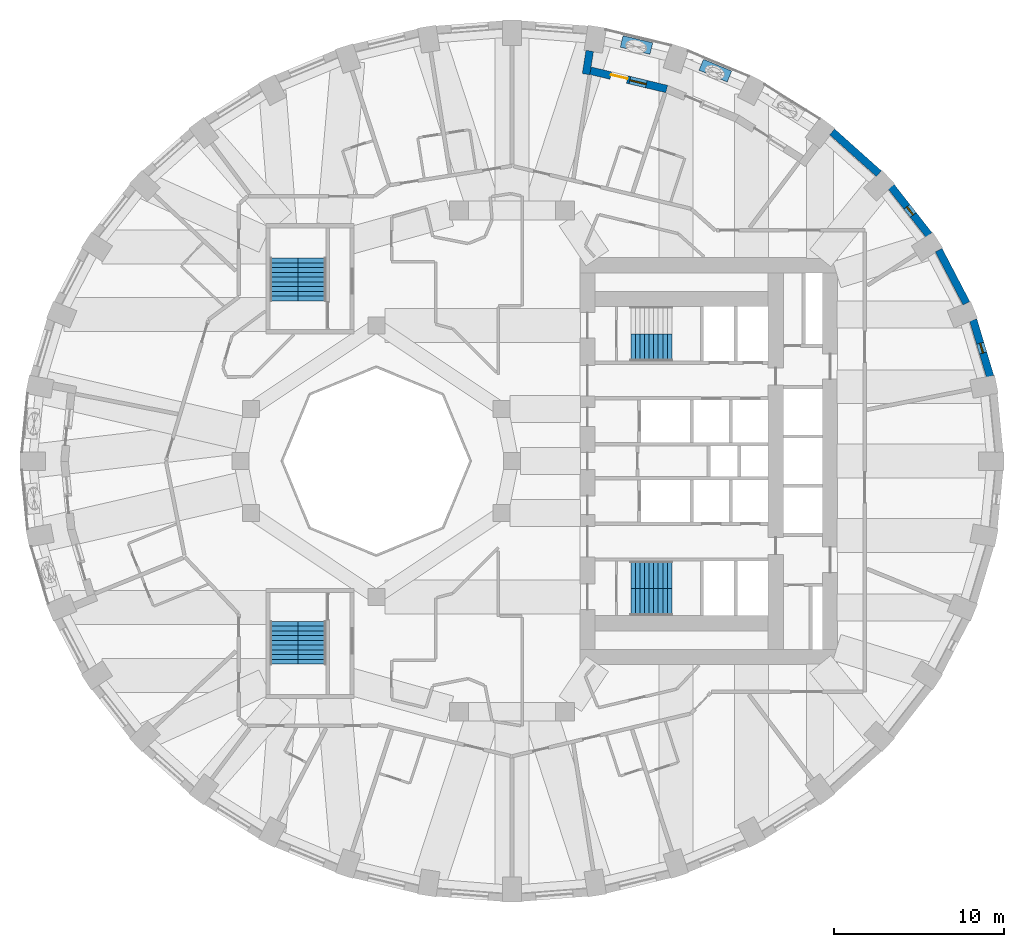
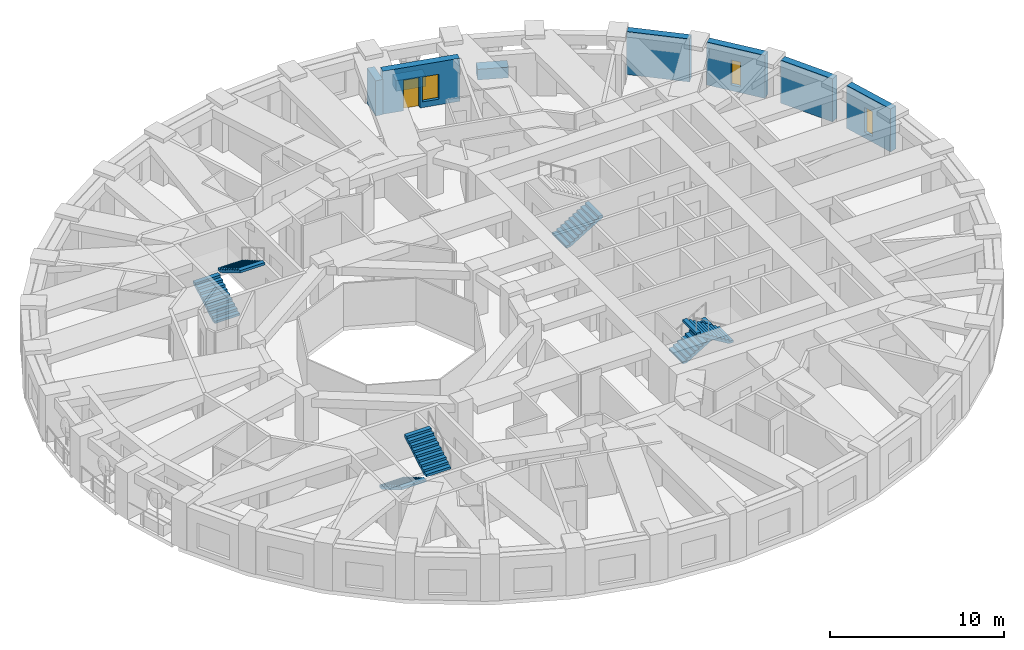
# One storey, part 10 of 14: 8 walls, 7 stair flights, 3 windows, 1 door, 4 openings, 4 elements without a shape of their own.
"""IFC4 building model written with IfcOpenShell, lengths in metres."""

from ifc_helpers import new_model, si_unit, direction, frame, frame_2d, origin, place, context, subcontext, project, spatial, polyline, rectangle, outline, extrude, material, layer, layer_set, constituent, constituent_set, type_object, element, fill, aggregate, save


model = new_model("IFC4")

# Units and contexts
model_context = context("Model", 3, precision=1e-05, world=origin(), true_north=direction((0.0, 1.0)))
body_context = subcontext(model_context, "Body", "Model", "MODEL_VIEW")
ifc_project = project(units=[si_unit("LENGTHUNIT", "METRE"), si_unit("AREAUNIT", "SQUARE_METRE"), si_unit("VOLUMEUNIT", "CUBIC_METRE"), si_unit("PLANEANGLEUNIT", "RADIAN"), si_unit("MASSUNIT", "GRAM", prefix="KILO")], contexts=[model_context])

# Site, building, storey
site_placement = place(None, origin())
site = spatial("IfcSite", under=ifc_project, at=site_placement, CompositionType="ELEMENT")
building_placement = place(site_placement, origin())
building = spatial("IfcBuilding", under=site, at=building_placement, Name="Taillehof Tower", CompositionType="ELEMENT")
storey_placement = place(building_placement, frame((0.0, 0.0, 25.0)))
storey = spatial("IfcBuildingStorey", under=building, at=storey_placement, Name="L05", CompositionType="ELEMENT", Elevation=25.0)

# Wall, opening, window
ifc_material_1 = material(Name="Brick masonry", Category="masonry")
ifc_layer = layer(ifc_material_1, 0.449951171875)
ifc_layer_set = layer_set([ifc_layer], Name="Brick infill wall 450")
wall_type_1 = type_object("IfcWallType", Name="Brick infill wall 450", PredefinedType="SOLIDWALL", material=ifc_layer_set)
wall_1_placement = place(storey_placement, frame((28.181884765625, 4.995849609375, 0.0), z_axis=(0.0, 0.0, 1.0), x_axis=(-0.287064133733, 0.957911364963, 0.0)))
wall_1 = element("IfcWall", 1, at=wall_1_placement, inside=storey, type_object=wall_type_1, Name="Brick wall L05 bay 2", PredefinedType="SOLIDWALL", context=body_context, shape_type="SweptSolid", body=[
    extrude(rectangle(XDim=3.473388671875, YDim=0.449951171875, at=frame_2d((1.73681640625, 0.0))), origin(), (0.0, 0.0, 1.0), 3.02001953125),
])
opening_1_placement = place(wall_1_placement, frame((1.436767578125, 0.0, 0.39990234375)))
opening_1 = element("IfcOpeningElement", 2, at=opening_1_placement, cuts=wall_1, Name="Opening W6", PredefinedType="OPENING", context=body_context, shape_type="SweptSolid", body=[
    extrude(rectangle(XDim=0.60009765625, YDim=1.75, at=frame_2d((0.300048828125, 0.875))), frame((0.0, 0.23486328125, 0.0), z_axis=(0.0, -1.0, 0.0), x_axis=(1.0, 0.0, 0.0)), (0.0, 0.0, 1.0), 0.469970703125),
])
ifc_material_2 = material(Name="Aluminium window frame with clear double glazing", Category="aluminium")
window_type_1 = type_object("IfcWindowType", Name="Slot window 600x1750", PartitioningType="SINGLE_PANEL", PredefinedType="WINDOW", material=ifc_material_2)
window_1_placement = place(opening_1_placement, origin())
window_1 = element("IfcWindow", 3, at=window_1_placement, inside=storey, type_object=window_type_1, Name="W6", OverallHeight=1.75, OverallWidth=0.60009765625, PartitioningType="SINGLE_PANEL", PredefinedType="WINDOW", context=body_context, shape_type="SweptSolid", body=[
    extrude(rectangle(XDim=0.60009765625, YDim=1.75, at=frame_2d((0.300048828125, 0.875))), frame((0.0, 0.034912109375, 0.0), z_axis=(0.0, -1.0, 0.0), x_axis=(1.0, 0.0, 0.0)), (0.0, 0.0, 1.0), 0.06005859375),
])
fill(opening_1, window_1)

# Wall
wall_2_placement = place(storey_placement, frame((26.78564453125, 9.30517578125, 0.0), z_axis=(0.0, 0.0, 1.0), x_axis=(-0.462492775226, 0.886623050041, 0.0)))
element("IfcWall", 4, at=wall_2_placement, inside=storey, type_object=wall_type_1, Name="Brick wall L05 bay 3", PredefinedType="SOLIDWALL", context=body_context, shape_type="SweptSolid", body=[
    extrude(rectangle(XDim=3.531982421875, YDim=0.449951171875, at=frame_2d((1.76611328125, 0.0))), origin(), (0.0, 0.0, 1.0), 3.02001953125),
])

# Wall, opening, window
wall_3_placement = place(storey_placement, frame((24.57763671875, 13.327880859375, 0.0), z_axis=(0.0, 0.0, 1.0), x_axis=(-0.616661975264, 0.787228053529, 0.0)))
wall_3 = element("IfcWall", 5, at=wall_3_placement, inside=storey, type_object=wall_type_1, Name="Brick wall L05 bay 4", PredefinedType="SOLIDWALL", context=body_context, shape_type="SweptSolid", body=[
    extrude(rectangle(XDim=3.60986328125, YDim=0.449951171875, at=frame_2d((1.804931640625, 0.0))), origin(), (0.0, 0.0, 1.0), 3.02001953125),
])
opening_2_placement = place(wall_3_placement, frame((1.5048828125, 0.0, 0.39990234375)))
opening_2 = element("IfcOpeningElement", 6, at=opening_2_placement, cuts=wall_3, Name="Opening W6", PredefinedType="OPENING", context=body_context, shape_type="SweptSolid", body=[
    extrude(rectangle(XDim=0.60009765625, YDim=1.75, at=frame_2d((0.300048828125, 0.875))), frame((0.0, 0.23486328125, 0.0), z_axis=(0.0, -1.0, 0.0), x_axis=(1.0, 0.0, 0.0)), (0.0, 0.0, 1.0), 0.469970703125),
])
window_2_placement = place(opening_2_placement, origin())
window_2 = element("IfcWindow", 7, at=window_2_placement, inside=storey, type_object=window_type_1, Name="W6", OverallHeight=1.75, OverallWidth=0.60009765625, PartitioningType="SINGLE_PANEL", PredefinedType="WINDOW", context=body_context, shape_type="SweptSolid", body=[
    extrude(rectangle(XDim=0.60009765625, YDim=1.75, at=frame_2d((0.300048828125, 0.875))), frame((0.0, 0.034912109375, 0.0), z_axis=(0.0, -1.0, 0.0), x_axis=(1.0, 0.0, 0.0)), (0.0, 0.0, 1.0), 0.06005859375),
])
fill(opening_2, window_2)

# Walls
wall_4_placement = place(storey_placement, frame((21.626708984375, 16.943115234375, 0.0), z_axis=(0.0, 0.0, 1.0), x_axis=(-0.745526233716, 0.66647628228, 0.0)))
element("IfcWall", 8, at=wall_4_placement, inside=storey, type_object=wall_type_1, Name="Brick wall L05 bay 5", PredefinedType="SOLIDWALL", context=body_context, shape_type="SweptSolid", body=[
    extrude(rectangle(XDim=3.69677734375, YDim=0.449951171875, at=frame_2d((1.848388671875, 0.0))), origin(), (0.0, 0.0, 1.0), 3.02001953125),
])
wall_5_placement = place(storey_placement, frame((4.58251953125, 24.178466796875, 0.0), z_axis=(0.0, 0.0, 1.0), x_axis=(-0.156133927791, -0.98773589415, 0.0)))
element("IfcWall", 9, at=wall_5_placement, inside=storey, type_object=wall_type_1, Name="Brick reveal L05 pocket 1", PredefinedType="SOLIDWALL", context=body_context, shape_type="SweptSolid", body=[
    extrude(rectangle(XDim=1.39013671875, YDim=0.449951171875, at=frame_2d((0.695068359375, 0.0))), origin(), (0.0, 0.0, 1.0), 2.469970703125),
])

# Wall, openings, door, window
wall_6_placement = place(storey_placement, frame((9.12158203125, 21.931640625, 0.0), z_axis=(0.0, 0.0, 1.0), x_axis=(-0.972346547441, 0.233542697764, 0.0)))
wall_6 = element("IfcWall", 10, at=wall_6_placement, inside=storey, type_object=wall_type_1, Name="Brick wall L05 pocket bay 8", PredefinedType="SOLIDWALL", context=body_context, shape_type="SweptSolid", body=[
    extrude(rectangle(XDim=4.623779296875, YDim=0.449951171875, at=frame_2d((2.31201171875, 0.0))), origin(), (0.0, 0.0, 1.0), 3.02001953125),
])
opening_3_placement = place(wall_6_placement, frame((1.23681640625, 0.0, 0.39990234375)))
opening_3 = element("IfcOpeningElement", 11, at=opening_3_placement, cuts=wall_6, Name="Opening W5", PredefinedType="OPENING", context=body_context, shape_type="SweptSolid", body=[
    extrude(rectangle(XDim=1.0, YDim=1.75, at=frame_2d((0.5, 0.875))), frame((0.0, 0.23486328125, 0.0), z_axis=(0.0, -1.0, 0.0), x_axis=(1.0, 0.0, 0.0)), (0.0, 0.0, 1.0), 0.469970703125),
])
opening_4_placement = place(wall_6_placement, frame((2.38671875, 0.0, 0.0)))
opening_4 = element("IfcOpeningElement", 12, at=opening_4_placement, cuts=wall_6, Name="Opening D0593", PredefinedType="OPENING", context=body_context, shape_type="SweptSolid", body=[
    extrude(rectangle(XDim=1.0, YDim=2.14990234375, at=frame_2d((0.5, 1.074951171875))), frame((0.0, 0.23486328125, 0.0), z_axis=(0.0, -1.0, 0.0), x_axis=(1.0, 0.0, 0.0)), (0.0, 0.0, 1.0), 0.469970703125),
])
ifc_material_3 = material(Name="Aluminium door frame with clear double glazing", Category="aluminium")
door_type = type_object("IfcDoorType", Name="Balcony door 1000x2150", OperationType="SINGLE_SWING_RIGHT", PredefinedType="DOOR", material=ifc_material_3)
door_placement = place(opening_4_placement, frame((1.0, 0.0, 0.0), z_axis=(0.0, 0.0, 1.0), x_axis=(-1.0, 0.0, 0.0)))
door = element("IfcDoor", 13, at=door_placement, inside=storey, type_object=door_type, Name="Balcony door L05 bay 8", OperationType="SINGLE_SWING_LEFT", OverallHeight=2.14990234375, OverallWidth=1.0, PredefinedType="DOOR", context=body_context, shape_type="SweptSolid", body=[
    extrude(rectangle(XDim=1.0, YDim=2.14990234375, at=frame_2d((0.5, 1.074951171875))), frame((0.0, 0.0751953125, 0.0), z_axis=(0.0, -1.0, 0.0), x_axis=(1.0, 0.0, 0.0)), (0.0, 0.0, 1.0), 0.050048828125),
])
fill(opening_4, door)
ifc_material_4 = material(Name="Aluminium window frame with clear double glazing", Category="aluminium")
window_type_2 = type_object("IfcWindowType", Name="Fixed window 1000x1750", PartitioningType="SINGLE_PANEL", PredefinedType="WINDOW", material=ifc_material_4)
window_3_placement = place(opening_3_placement, origin())
window_3 = element("IfcWindow", 14, at=window_3_placement, inside=storey, type_object=window_type_2, Name="W5", OverallHeight=1.75, OverallWidth=1.0, PartitioningType="SINGLE_PANEL", PredefinedType="WINDOW", context=body_context, shape_type="SweptSolid", body=[
    extrude(rectangle(XDim=1.0, YDim=1.75, at=frame_2d((0.5, 0.875))), frame((0.0, 0.034912109375, 0.0), z_axis=(0.0, -1.0, 0.0), x_axis=(1.0, 0.0, 0.0)), (0.0, 0.0, 1.0), 0.06005859375),
])
fill(opening_3, window_3)

# Walls
ifc_material_5 = material(Name="Concrete C30/37 precast", Category="concrete")
ifc_constituent_1 = constituent(ifc_material_5, Name="Structure", Category="concrete")
ifc_material_6 = material(Name="Insulated lining")
ifc_constituent_2 = constituent(ifc_material_6, Name="Lining")
ifc_constituent_set = constituent_set(constituents=[ifc_constituent_1, ifc_constituent_2], Name="Planter trough 700x750")
wall_type_2 = type_object("IfcWallType", Name="Planter trough 700x750", PredefinedType="USERDEFINED", material=ifc_constituent_set)
for number, where, z_axis, x_axis, name in (
    (15, (12.816650390625, 22.669677734375, 0.0), (0.0, 0.0, 1.0), (-0.923000660042, 0.384798364811, 0.0), "Planter L05 bay 7"),
    (16, (8.215087890625, 24.318115234375, 0.0), (0.0, 0.0, 1.0), (-0.972504142103, 0.232885580473, 0.0), "Planter L05 bay 8"),
):
    element("IfcWall", number, at=place(storey_placement, frame(where, z_axis=z_axis, x_axis=x_axis)), inside=storey, type_object=wall_type_2, Name=name, ObjectType="PLANTER", PredefinedType="USERDEFINED", context=body_context, shape_type="SweptSolid", body=[
        extrude(rectangle(XDim=1.800048828125, YDim=0.699951171875, at=frame_2d((0.89990234375, 0.0))), origin(), (0.0, 0.0, 1.0), 0.75),
    ])

# Stair, stair flight
ifc_material_7 = material(Name="Concrete C40/50", Category="concrete")
stair_type = type_object("IfcStairType", Name="Exit stair half-turn", PredefinedType="HALF_TURN_STAIR", material=ifc_material_7)
stair_1_placement = place(storey_placement, origin())
stair_1 = element("IfcStair", 17, at=stair_1_placement, inside=storey, type_object=stair_type, Name="Exit stair S1", PredefinedType="HALF_TURN_STAIR")
ifc_material_8 = material(Name="Concrete C40/50", Category="concrete")
stair_flight_type_1 = type_object("IfcStairFlightType", Name="Stair flight 1600 riser 165.0 going 270", PredefinedType="STRAIGHT", material=ifc_material_8)
stair_flight_1_placement = place(storey_placement, frame((7.0, 6.699951171875, 0.0), z_axis=(0.0, 0.0, 1.0), x_axis=(1.0, 0.0, 0.0)))
stair_flight_1 = element("IfcStairFlight", 18, at=stair_flight_1_placement, type_object=stair_flight_type_1, Name="S1 flight 1", NumberOfRisers=10, NumberOfTreads=9, PredefinedType="STRAIGHT", RiserHeight=0.165, TreadLength=0.27, context=body_context, shape_type="SweptSolid", body=[
    extrude(outline(polyline([(0.0, 0.0), (0.0, 0.00537109375), (0.0, 0.0107421875), (0.0, 0.015869140625), (0.0, 0.021240234375), (0.0, 0.026611328125), (0.0, 0.031982421875), (0.0, 0.037353515625), (0.0, 0.04248046875), (0.0, 0.0478515625), (0.0, 0.05322265625), (0.0, 0.05859375), (0.0, 0.06396484375), (0.0, 0.069091796875), (0.0, 0.074462890625), (0.0, 0.079833984375), (0.0, 0.085205078125), (0.0, 0.090576171875), (0.0, 0.095703125), (0.0, 0.10107421875), (0.0, 0.1064453125), (0.0, 0.11181640625), (0.0, 0.1171875), (0.0, 0.122314453125), (0.0, 0.127685546875), (0.0, 0.133056640625), (0.0, 0.138427734375), (0.0, 0.143798828125), (0.0, 0.14892578125), (0.0, 0.154296875), (0.0, 0.15966796875), (0.0, 0.1650390625), (0.27001953125, 0.1650390625), (0.27001953125, 0.330078125), (0.5400390625, 0.330078125), (0.5400390625, 0.4951171875), (0.81005859375, 0.4951171875), (0.81005859375, 0.659912109375), (1.080078125, 0.659912109375), (1.080078125, 0.824951171875), (1.35009765625, 0.824951171875), (1.35009765625, 0.989990234375), (1.6201171875, 0.989990234375), (1.6201171875, 1.155029296875), (1.889892578125, 1.155029296875), (1.889892578125, 1.320068359375), (2.159912109375, 1.320068359375), (2.159912109375, 1.485107421875), (2.429931640625, 1.485107421875), (2.429931640625, 1.479248046875), (2.429931640625, 1.4736328125), (2.429931640625, 1.468017578125), (2.429931640625, 1.46240234375), (2.429931640625, 1.45654296875), (2.429931640625, 1.450927734375), (2.429931640625, 1.4453125), (2.429931640625, 1.439697265625), (2.429931640625, 1.43408203125), (2.429931640625, 1.42822265625), (2.429931640625, 1.422607421875), (2.429931640625, 1.4169921875), (2.429931640625, 1.411376953125), (2.429931640625, 1.40576171875), (2.429931640625, 1.39990234375), (2.429931640625, 1.394287109375), (2.429931640625, 1.388671875), (2.429931640625, 1.383056640625), (2.429931640625, 1.37744140625), (2.429931640625, 1.37158203125), (2.429931640625, 1.365966796875), (2.429931640625, 1.3603515625), (2.429931640625, 1.354736328125), (2.429931640625, 1.348876953125), (2.429931640625, 1.34326171875), (2.429931640625, 1.337646484375), (2.429931640625, 1.33203125), (2.429931640625, 1.326416015625), (2.429931640625, 1.320556640625), (2.429931640625, 1.31494140625), (2.429931640625, 1.309326171875), (0.287353515625, 0.0), (0.0, 0.0)])), frame((0.0, 0.800048828125, 0.0), z_axis=(0.0, -1.0, 0.0), x_axis=(1.0, 0.0, 0.0)), (0.0, 0.0, 1.0), 1.6),
])
aggregate(stair_1, [stair_flight_1])

# Stair, stair flights
stair_2_placement = place(storey_placement, origin())
stair_2 = element("IfcStair", 19, at=stair_2_placement, inside=storey, type_object=stair_type, Name="Exit stair S2", PredefinedType="HALF_TURN_STAIR")
stair_flight_2_placement = place(storey_placement, frame((7.0, -6.699951171875, 0.0), z_axis=(0.0, 0.0, 1.0), x_axis=(1.0, 0.0, 0.0)))
stair_flight_2 = element("IfcStairFlight", 20, at=stair_flight_2_placement, type_object=stair_flight_type_1, Name="S2 flight 1", NumberOfRisers=10, NumberOfTreads=9, PredefinedType="STRAIGHT", RiserHeight=0.165, TreadLength=0.27, context=body_context, shape_type="SweptSolid", body=[
    extrude(outline(polyline([(0.0, 0.0), (0.0, 0.00537109375), (0.0, 0.0107421875), (0.0, 0.015869140625), (0.0, 0.021240234375), (0.0, 0.026611328125), (0.0, 0.031982421875), (0.0, 0.037353515625), (0.0, 0.04248046875), (0.0, 0.0478515625), (0.0, 0.05322265625), (0.0, 0.05859375), (0.0, 0.06396484375), (0.0, 0.069091796875), (0.0, 0.074462890625), (0.0, 0.079833984375), (0.0, 0.085205078125), (0.0, 0.090576171875), (0.0, 0.095703125), (0.0, 0.10107421875), (0.0, 0.1064453125), (0.0, 0.11181640625), (0.0, 0.1171875), (0.0, 0.122314453125), (0.0, 0.127685546875), (0.0, 0.133056640625), (0.0, 0.138427734375), (0.0, 0.143798828125), (0.0, 0.14892578125), (0.0, 0.154296875), (0.0, 0.15966796875), (0.0, 0.1650390625), (0.27001953125, 0.1650390625), (0.27001953125, 0.330078125), (0.5400390625, 0.330078125), (0.5400390625, 0.4951171875), (0.81005859375, 0.4951171875), (0.81005859375, 0.659912109375), (1.080078125, 0.659912109375), (1.080078125, 0.824951171875), (1.35009765625, 0.824951171875), (1.35009765625, 0.989990234375), (1.6201171875, 0.989990234375), (1.6201171875, 1.155029296875), (1.889892578125, 1.155029296875), (1.889892578125, 1.320068359375), (2.159912109375, 1.320068359375), (2.159912109375, 1.485107421875), (2.429931640625, 1.485107421875), (2.429931640625, 1.479248046875), (2.429931640625, 1.4736328125), (2.429931640625, 1.468017578125), (2.429931640625, 1.46240234375), (2.429931640625, 1.45654296875), (2.429931640625, 1.450927734375), (2.429931640625, 1.4453125), (2.429931640625, 1.439697265625), (2.429931640625, 1.43408203125), (2.429931640625, 1.42822265625), (2.429931640625, 1.422607421875), (2.429931640625, 1.4169921875), (2.429931640625, 1.411376953125), (2.429931640625, 1.40576171875), (2.429931640625, 1.39990234375), (2.429931640625, 1.394287109375), (2.429931640625, 1.388671875), (2.429931640625, 1.383056640625), (2.429931640625, 1.37744140625), (2.429931640625, 1.37158203125), (2.429931640625, 1.365966796875), (2.429931640625, 1.3603515625), (2.429931640625, 1.354736328125), (2.429931640625, 1.348876953125), (2.429931640625, 1.34326171875), (2.429931640625, 1.337646484375), (2.429931640625, 1.33203125), (2.429931640625, 1.326416015625), (2.429931640625, 1.320556640625), (2.429931640625, 1.31494140625), (2.429931640625, 1.309326171875), (0.287353515625, 0.0), (0.0, 0.0)])), frame((0.0, 0.800048828125, 0.0), z_axis=(0.0, -1.0, 0.0), x_axis=(1.0, 0.0, 0.0)), (0.0, 0.0, 1.0), 1.6),
])
stair_flight_3_placement = place(storey_placement, frame((9.429931640625, -8.300048828125, 1.64990234375), z_axis=(0.0, 0.0, 1.0), x_axis=(-1.0, 0.0, 0.0)))
stair_flight_3 = element("IfcStairFlight", 21, at=stair_flight_3_placement, type_object=stair_flight_type_1, Name="S2 flight 2", NumberOfRisers=10, NumberOfTreads=9, PredefinedType="STRAIGHT", RiserHeight=0.165, TreadLength=0.27, context=body_context, shape_type="SweptSolid", body=[
    extrude(outline(polyline([(0.0, 0.0), (0.0, 0.00537109375), (0.0, 0.0107421875), (0.0, 0.015869140625), (0.0, 0.021240234375), (0.0, 0.026611328125), (0.0, 0.031982421875), (0.0, 0.037353515625), (0.0, 0.04248046875), (0.0, 0.0478515625), (0.0, 0.05322265625), (0.0, 0.05859375), (0.0, 0.06396484375), (0.0, 0.069091796875), (0.0, 0.074462890625), (0.0, 0.079833984375), (0.0, 0.085205078125), (0.0, 0.090576171875), (0.0, 0.095703125), (0.0, 0.10107421875), (0.0, 0.1064453125), (0.0, 0.11181640625), (0.0, 0.1171875), (0.0, 0.122314453125), (0.0, 0.127685546875), (0.0, 0.133056640625), (0.0, 0.138427734375), (0.0, 0.143798828125), (0.0, 0.14892578125), (0.0, 0.154296875), (0.0, 0.15966796875), (0.0, 0.1650390625), (0.27001953125, 0.1650390625), (0.27001953125, 0.330078125), (0.5400390625, 0.330078125), (0.5400390625, 0.4951171875), (0.81005859375, 0.4951171875), (0.81005859375, 0.659912109375), (1.080078125, 0.659912109375), (1.080078125, 0.824951171875), (1.35009765625, 0.824951171875), (1.35009765625, 0.989990234375), (1.6201171875, 0.989990234375), (1.6201171875, 1.155029296875), (1.889892578125, 1.155029296875), (1.889892578125, 1.320068359375), (2.159912109375, 1.320068359375), (2.159912109375, 1.485107421875), (2.429931640625, 1.485107421875), (2.429931640625, 1.479248046875), (2.429931640625, 1.4736328125), (2.429931640625, 1.468017578125), (2.429931640625, 1.46240234375), (2.429931640625, 1.45654296875), (2.429931640625, 1.450927734375), (2.429931640625, 1.4453125), (2.429931640625, 1.439697265625), (2.429931640625, 1.43408203125), (2.429931640625, 1.42822265625), (2.429931640625, 1.422607421875), (2.429931640625, 1.4169921875), (2.429931640625, 1.411376953125), (2.429931640625, 1.40576171875), (2.429931640625, 1.39990234375), (2.429931640625, 1.394287109375), (2.429931640625, 1.388671875), (2.429931640625, 1.383056640625), (2.429931640625, 1.37744140625), (2.429931640625, 1.37158203125), (2.429931640625, 1.365966796875), (2.429931640625, 1.3603515625), (2.429931640625, 1.354736328125), (2.429931640625, 1.348876953125), (2.429931640625, 1.34326171875), (2.429931640625, 1.337646484375), (2.429931640625, 1.33203125), (2.429931640625, 1.326416015625), (2.429931640625, 1.320556640625), (2.429931640625, 1.31494140625), (2.429931640625, 1.309326171875), (0.287353515625, 0.0), (0.0, 0.0)])), frame((0.0, 0.800048828125, 0.0), z_axis=(0.0, -1.0, 0.0), x_axis=(1.0, 0.0, 0.0)), (0.0, 0.0, 1.0), 1.6),
])
aggregate(stair_2, [stair_flight_2, stair_flight_3])

stair_3_placement = place(storey_placement, origin())
stair_3 = element("IfcStair", 22, at=stair_3_placement, inside=storey, type_object=stair_type, Name="Exit stair S3", PredefinedType="HALF_TURN_STAIR")
ifc_material_9 = material(Name="Concrete C40/50", Category="concrete")
stair_flight_type_2 = type_object("IfcStairFlightType", Name="Stair flight 1650 riser 165.0 going 280", PredefinedType="STRAIGHT", material=ifc_material_9)
stair_flight_4_placement = place(storey_placement, frame((-13.425048828125, 9.449951171875, 0.0), z_axis=(0.0, 0.0, 1.0), x_axis=(0.0, 1.0, 0.0)))
stair_flight_4 = element("IfcStairFlight", 23, at=stair_flight_4_placement, type_object=stair_flight_type_2, Name="S3 flight 1", NumberOfRisers=10, NumberOfTreads=9, PredefinedType="STRAIGHT", RiserHeight=0.165, TreadLength=0.28, context=body_context, shape_type="SweptSolid", body=[
    extrude(outline(polyline([(0.0, 0.0), (0.0, 0.00537109375), (0.0, 0.0107421875), (0.0, 0.015869140625), (0.0, 0.021240234375), (0.0, 0.026611328125), (0.0, 0.031982421875), (0.0, 0.037353515625), (0.0, 0.04248046875), (0.0, 0.0478515625), (0.0, 0.05322265625), (0.0, 0.05859375), (0.0, 0.06396484375), (0.0, 0.069091796875), (0.0, 0.074462890625), (0.0, 0.079833984375), (0.0, 0.085205078125), (0.0, 0.090576171875), (0.0, 0.095703125), (0.0, 0.10107421875), (0.0, 0.1064453125), (0.0, 0.11181640625), (0.0, 0.1171875), (0.0, 0.122314453125), (0.0, 0.127685546875), (0.0, 0.133056640625), (0.0, 0.138427734375), (0.0, 0.143798828125), (0.0, 0.14892578125), (0.0, 0.154296875), (0.0, 0.15966796875), (0.0, 0.1650390625), (0.280029296875, 0.1650390625), (0.280029296875, 0.330078125), (0.56005859375, 0.330078125), (0.56005859375, 0.4951171875), (0.840087890625, 0.4951171875), (0.840087890625, 0.659912109375), (1.1201171875, 0.659912109375), (1.1201171875, 0.824951171875), (1.39990234375, 0.824951171875), (1.39990234375, 0.989990234375), (1.679931640625, 0.989990234375), (1.679931640625, 1.155029296875), (1.9599609375, 1.155029296875), (1.9599609375, 1.320068359375), (2.239990234375, 1.320068359375), (2.239990234375, 1.485107421875), (2.52001953125, 1.485107421875), (2.52001953125, 1.4794921875), (2.52001953125, 1.473876953125), (2.52001953125, 1.46826171875), (2.52001953125, 1.462646484375), (2.52001953125, 1.45703125), (2.52001953125, 1.451416015625), (2.52001953125, 1.44580078125), (2.52001953125, 1.440185546875), (2.52001953125, 1.4345703125), (2.52001953125, 1.428955078125), (2.52001953125, 1.42333984375), (2.52001953125, 1.417724609375), (2.52001953125, 1.412109375), (2.52001953125, 1.406494140625), (2.52001953125, 1.40087890625), (2.52001953125, 1.395263671875), (2.52001953125, 1.3896484375), (2.52001953125, 1.384033203125), (2.52001953125, 1.37841796875), (2.52001953125, 1.372802734375), (2.52001953125, 1.3671875), (2.52001953125, 1.361572265625), (2.52001953125, 1.35595703125), (2.52001953125, 1.350341796875), (2.52001953125, 1.3447265625), (2.52001953125, 1.339111328125), (2.52001953125, 1.33349609375), (2.52001953125, 1.327880859375), (2.52001953125, 1.322265625), (2.52001953125, 1.316650390625), (2.52001953125, 1.31103515625), (0.295166015625, 0.0), (0.0, 0.0)])), frame((0.0, 0.824951171875, 0.0), z_axis=(0.0, -1.0, 0.0), x_axis=(1.0, 0.0, 0.0)), (0.0, 0.0, 1.0), 1.65),
])
stair_flight_5_placement = place(storey_placement, frame((-11.77490234375, 11.969970703125, 1.64990234375), z_axis=(0.0, 0.0, 1.0), x_axis=(0.0, -1.0, 0.0)))
stair_flight_5 = element("IfcStairFlight", 24, at=stair_flight_5_placement, type_object=stair_flight_type_2, Name="S3 flight 2", NumberOfRisers=10, NumberOfTreads=9, PredefinedType="STRAIGHT", RiserHeight=0.165, TreadLength=0.28, context=body_context, shape_type="SweptSolid", body=[
    extrude(outline(polyline([(0.0, 0.0), (0.0, 0.00537109375), (0.0, 0.0107421875), (0.0, 0.015869140625), (0.0, 0.021240234375), (0.0, 0.026611328125), (0.0, 0.031982421875), (0.0, 0.037353515625), (0.0, 0.04248046875), (0.0, 0.0478515625), (0.0, 0.05322265625), (0.0, 0.05859375), (0.0, 0.06396484375), (0.0, 0.069091796875), (0.0, 0.074462890625), (0.0, 0.079833984375), (0.0, 0.085205078125), (0.0, 0.090576171875), (0.0, 0.095703125), (0.0, 0.10107421875), (0.0, 0.1064453125), (0.0, 0.11181640625), (0.0, 0.1171875), (0.0, 0.122314453125), (0.0, 0.127685546875), (0.0, 0.133056640625), (0.0, 0.138427734375), (0.0, 0.143798828125), (0.0, 0.14892578125), (0.0, 0.154296875), (0.0, 0.15966796875), (0.0, 0.1650390625), (0.280029296875, 0.1650390625), (0.280029296875, 0.330078125), (0.56005859375, 0.330078125), (0.56005859375, 0.4951171875), (0.840087890625, 0.4951171875), (0.840087890625, 0.659912109375), (1.1201171875, 0.659912109375), (1.1201171875, 0.824951171875), (1.39990234375, 0.824951171875), (1.39990234375, 0.989990234375), (1.679931640625, 0.989990234375), (1.679931640625, 1.155029296875), (1.9599609375, 1.155029296875), (1.9599609375, 1.320068359375), (2.239990234375, 1.320068359375), (2.239990234375, 1.485107421875), (2.52001953125, 1.485107421875), (2.52001953125, 1.4794921875), (2.52001953125, 1.473876953125), (2.52001953125, 1.46826171875), (2.52001953125, 1.462646484375), (2.52001953125, 1.45703125), (2.52001953125, 1.451416015625), (2.52001953125, 1.44580078125), (2.52001953125, 1.440185546875), (2.52001953125, 1.4345703125), (2.52001953125, 1.428955078125), (2.52001953125, 1.42333984375), (2.52001953125, 1.417724609375), (2.52001953125, 1.412109375), (2.52001953125, 1.406494140625), (2.52001953125, 1.40087890625), (2.52001953125, 1.395263671875), (2.52001953125, 1.3896484375), (2.52001953125, 1.384033203125), (2.52001953125, 1.37841796875), (2.52001953125, 1.372802734375), (2.52001953125, 1.3671875), (2.52001953125, 1.361572265625), (2.52001953125, 1.35595703125), (2.52001953125, 1.350341796875), (2.52001953125, 1.3447265625), (2.52001953125, 1.339111328125), (2.52001953125, 1.33349609375), (2.52001953125, 1.327880859375), (2.52001953125, 1.322265625), (2.52001953125, 1.316650390625), (2.52001953125, 1.31103515625), (0.295166015625, 0.0), (0.0, 0.0)])), frame((0.0, 0.824951171875, 0.0), z_axis=(0.0, -1.0, 0.0), x_axis=(1.0, 0.0, 0.0)), (0.0, 0.0, 1.0), 1.65),
])
aggregate(stair_3, [stair_flight_4, stair_flight_5])

stair_4_placement = place(storey_placement, origin())
stair_4 = element("IfcStair", 25, at=stair_4_placement, inside=storey, type_object=stair_type, Name="Exit stair S4", PredefinedType="HALF_TURN_STAIR")
stair_flight_6_placement = place(storey_placement, frame((-13.425048828125, -9.449951171875, 0.0), z_axis=(0.0, 0.0, 1.0), x_axis=(0.0, -1.0, 0.0)))
stair_flight_6 = element("IfcStairFlight", 26, at=stair_flight_6_placement, type_object=stair_flight_type_2, Name="S4 flight 1", NumberOfRisers=10, NumberOfTreads=9, PredefinedType="STRAIGHT", RiserHeight=0.165, TreadLength=0.28, context=body_context, shape_type="SweptSolid", body=[
    extrude(outline(polyline([(0.0, 0.0), (0.0, 0.00537109375), (0.0, 0.0107421875), (0.0, 0.015869140625), (0.0, 0.021240234375), (0.0, 0.026611328125), (0.0, 0.031982421875), (0.0, 0.037353515625), (0.0, 0.04248046875), (0.0, 0.0478515625), (0.0, 0.05322265625), (0.0, 0.05859375), (0.0, 0.06396484375), (0.0, 0.069091796875), (0.0, 0.074462890625), (0.0, 0.079833984375), (0.0, 0.085205078125), (0.0, 0.090576171875), (0.0, 0.095703125), (0.0, 0.10107421875), (0.0, 0.1064453125), (0.0, 0.11181640625), (0.0, 0.1171875), (0.0, 0.122314453125), (0.0, 0.127685546875), (0.0, 0.133056640625), (0.0, 0.138427734375), (0.0, 0.143798828125), (0.0, 0.14892578125), (0.0, 0.154296875), (0.0, 0.15966796875), (0.0, 0.1650390625), (0.280029296875, 0.1650390625), (0.280029296875, 0.330078125), (0.56005859375, 0.330078125), (0.56005859375, 0.4951171875), (0.840087890625, 0.4951171875), (0.840087890625, 0.659912109375), (1.1201171875, 0.659912109375), (1.1201171875, 0.824951171875), (1.39990234375, 0.824951171875), (1.39990234375, 0.989990234375), (1.679931640625, 0.989990234375), (1.679931640625, 1.155029296875), (1.9599609375, 1.155029296875), (1.9599609375, 1.320068359375), (2.239990234375, 1.320068359375), (2.239990234375, 1.485107421875), (2.52001953125, 1.485107421875), (2.52001953125, 1.4794921875), (2.52001953125, 1.473876953125), (2.52001953125, 1.46826171875), (2.52001953125, 1.462646484375), (2.52001953125, 1.45703125), (2.52001953125, 1.451416015625), (2.52001953125, 1.44580078125), (2.52001953125, 1.440185546875), (2.52001953125, 1.4345703125), (2.52001953125, 1.428955078125), (2.52001953125, 1.42333984375), (2.52001953125, 1.417724609375), (2.52001953125, 1.412109375), (2.52001953125, 1.406494140625), (2.52001953125, 1.40087890625), (2.52001953125, 1.395263671875), (2.52001953125, 1.3896484375), (2.52001953125, 1.384033203125), (2.52001953125, 1.37841796875), (2.52001953125, 1.372802734375), (2.52001953125, 1.3671875), (2.52001953125, 1.361572265625), (2.52001953125, 1.35595703125), (2.52001953125, 1.350341796875), (2.52001953125, 1.3447265625), (2.52001953125, 1.339111328125), (2.52001953125, 1.33349609375), (2.52001953125, 1.327880859375), (2.52001953125, 1.322265625), (2.52001953125, 1.316650390625), (2.52001953125, 1.31103515625), (0.295166015625, 0.0), (0.0, 0.0)])), frame((0.0, 0.824951171875, 0.0), z_axis=(0.0, -1.0, 0.0), x_axis=(1.0, 0.0, 0.0)), (0.0, 0.0, 1.0), 1.65),
])
stair_flight_7_placement = place(storey_placement, frame((-11.77490234375, -11.969970703125, 1.64990234375), z_axis=(0.0, 0.0, 1.0), x_axis=(0.0, 1.0, 0.0)))
stair_flight_7 = element("IfcStairFlight", 27, at=stair_flight_7_placement, type_object=stair_flight_type_2, Name="S4 flight 2", NumberOfRisers=10, NumberOfTreads=9, PredefinedType="STRAIGHT", RiserHeight=0.165, TreadLength=0.28, context=body_context, shape_type="SweptSolid", body=[
    extrude(outline(polyline([(0.0, 0.0), (0.0, 0.00537109375), (0.0, 0.0107421875), (0.0, 0.015869140625), (0.0, 0.021240234375), (0.0, 0.026611328125), (0.0, 0.031982421875), (0.0, 0.037353515625), (0.0, 0.04248046875), (0.0, 0.0478515625), (0.0, 0.05322265625), (0.0, 0.05859375), (0.0, 0.06396484375), (0.0, 0.069091796875), (0.0, 0.074462890625), (0.0, 0.079833984375), (0.0, 0.085205078125), (0.0, 0.090576171875), (0.0, 0.095703125), (0.0, 0.10107421875), (0.0, 0.1064453125), (0.0, 0.11181640625), (0.0, 0.1171875), (0.0, 0.122314453125), (0.0, 0.127685546875), (0.0, 0.133056640625), (0.0, 0.138427734375), (0.0, 0.143798828125), (0.0, 0.14892578125), (0.0, 0.154296875), (0.0, 0.15966796875), (0.0, 0.1650390625), (0.280029296875, 0.1650390625), (0.280029296875, 0.330078125), (0.56005859375, 0.330078125), (0.56005859375, 0.4951171875), (0.840087890625, 0.4951171875), (0.840087890625, 0.659912109375), (1.1201171875, 0.659912109375), (1.1201171875, 0.824951171875), (1.39990234375, 0.824951171875), (1.39990234375, 0.989990234375), (1.679931640625, 0.989990234375), (1.679931640625, 1.155029296875), (1.9599609375, 1.155029296875), (1.9599609375, 1.320068359375), (2.239990234375, 1.320068359375), (2.239990234375, 1.485107421875), (2.52001953125, 1.485107421875), (2.52001953125, 1.4794921875), (2.52001953125, 1.473876953125), (2.52001953125, 1.46826171875), (2.52001953125, 1.462646484375), (2.52001953125, 1.45703125), (2.52001953125, 1.451416015625), (2.52001953125, 1.44580078125), (2.52001953125, 1.440185546875), (2.52001953125, 1.4345703125), (2.52001953125, 1.428955078125), (2.52001953125, 1.42333984375), (2.52001953125, 1.417724609375), (2.52001953125, 1.412109375), (2.52001953125, 1.406494140625), (2.52001953125, 1.40087890625), (2.52001953125, 1.395263671875), (2.52001953125, 1.3896484375), (2.52001953125, 1.384033203125), (2.52001953125, 1.37841796875), (2.52001953125, 1.372802734375), (2.52001953125, 1.3671875), (2.52001953125, 1.361572265625), (2.52001953125, 1.35595703125), (2.52001953125, 1.350341796875), (2.52001953125, 1.3447265625), (2.52001953125, 1.339111328125), (2.52001953125, 1.33349609375), (2.52001953125, 1.327880859375), (2.52001953125, 1.322265625), (2.52001953125, 1.316650390625), (2.52001953125, 1.31103515625), (0.295166015625, 0.0), (0.0, 0.0)])), frame((0.0, 0.824951171875, 0.0), z_axis=(0.0, -1.0, 0.0), x_axis=(1.0, 0.0, 0.0)), (0.0, 0.0, 1.0), 1.65),
])
aggregate(stair_4, [stair_flight_6, stair_flight_7])

save(model, "model.ifc")
